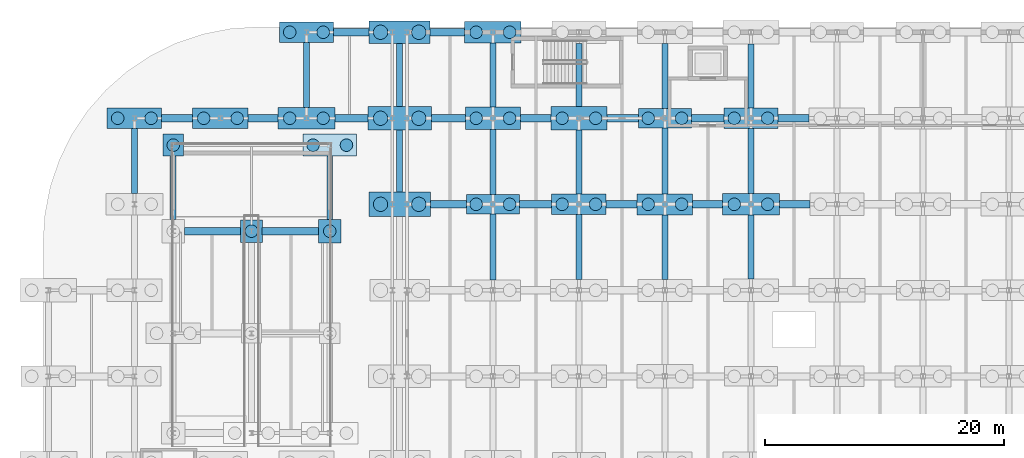
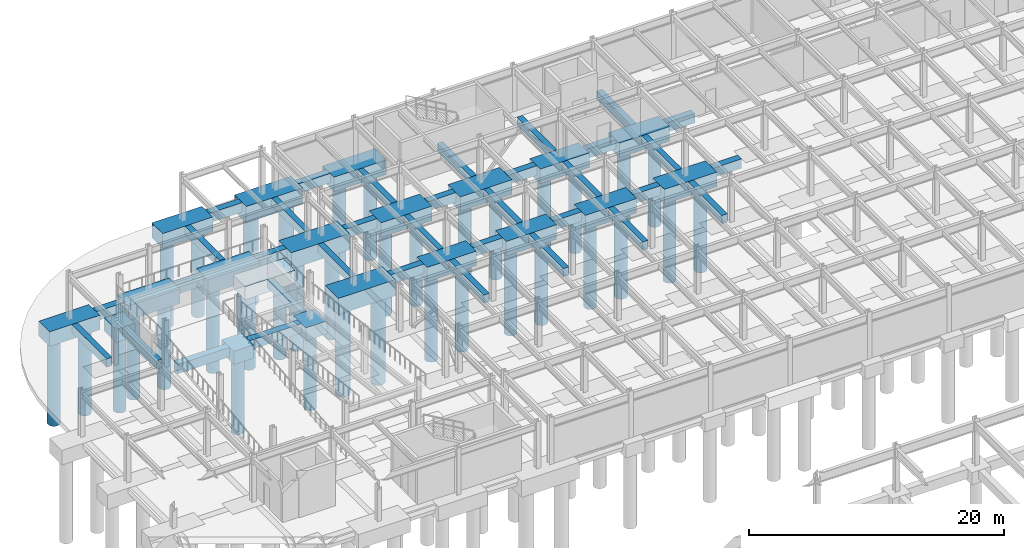
# One storey, part 4 of 54: 55 footings, 37 piles.
"""IFC4 building model written with IfcOpenShell, lengths in metres."""

from ifc_helpers import new_model, si_unit, direction, frame, origin, origin_2d, place, context, subcontext, project, spatial, polyline, rectangle, circle, outline, extrude, material, material_profile, profile_set, type_object, element, save


model = new_model("IFC4")

# Units and contexts
model_context = context("Model", 3, precision=1e-05, world=origin(), true_north=direction((0.0, 1.0)))
body_context = subcontext(model_context, "Body", "Model", "MODEL_VIEW")
ifc_project = project(units=[si_unit("LENGTHUNIT", "METRE"), si_unit("AREAUNIT", "SQUARE_METRE"), si_unit("VOLUMEUNIT", "CUBIC_METRE"), si_unit("PLANEANGLEUNIT", "RADIAN"), si_unit("MASSUNIT", "GRAM", prefix="KILO")], contexts=[model_context])

# Site, building, storey
site_placement = place(None, origin())
site = spatial("IfcSite", under=ifc_project, at=site_placement, CompositionType="ELEMENT")
building_placement = place(site_placement, origin())
building = spatial("IfcBuilding", under=site, at=building_placement, Name="Vaelcorin Mobility Hub", CompositionType="ELEMENT")
storey_placement = place(building_placement, frame((0.0, 0.0, -4.5)))
storey = spatial("IfcBuildingStorey", under=building, at=storey_placement, Name="B1", CompositionType="ELEMENT", Elevation=-4.5)

# Footings
ifc_material = material(Name="Concrete f'c 40 MPa", Category="concrete")
footing_type_1 = type_object("IfcFootingType", Name="FB-500X800", PredefinedType="FOOTING_BEAM", material=ifc_material)
footing_1_placement = place(storey_placement, frame((0.0, 0.0, -0.800048828125)))
element("IfcFooting", 1, at=footing_1_placement, inside=storey, type_object=footing_type_1, Name="Foundation Tie Beam FB-Y-269", PredefinedType="FOOTING_BEAM", context=body_context, shape_type="SweptSolid", body=[
    extrude(outline(polyline([(12.949951171875, 106.5), (13.449951171875, 106.5), (13.449951171875, 111.949951171875), (12.949951171875, 111.949951171875), (12.949951171875, 106.5)])), origin(), (0.0, 0.0, 1.0), 0.800048828125),
])
footing_2_placement = place(storey_placement, frame((0.0, 0.0, -0.800048828125)))
element("IfcFooting", 2, at=footing_2_placement, inside=storey, type_object=footing_type_1, Name="Foundation Tie Beam FB-Y-272", PredefinedType="FOOTING_BEAM", context=body_context, shape_type="SweptSolid", body=[
    extrude(outline(polyline([(27.35009765625, 113.699951171875), (27.85009765625, 113.699951171875), (27.85009765625, 119.14990234375), (27.35009765625, 119.14990234375), (27.35009765625, 113.699951171875)])), origin(), (0.0, 0.0, 1.0), 0.800048828125),
])
footing_3_placement = place(storey_placement, frame((0.0, 0.0, -0.800048828125)))
element("IfcFooting", 3, at=footing_3_placement, inside=storey, type_object=footing_type_1, Name="Foundation Tie Beam FB-Y-278", PredefinedType="FOOTING_BEAM", context=body_context, shape_type="SweptSolid", body=[
    extrude(outline(polyline([(35.14990234375, 106.625), (35.64990234375, 106.625), (35.64990234375, 111.824951171875), (35.14990234375, 111.824951171875), (35.14990234375, 106.625)])), origin(), (0.0, 0.0, 1.0), 0.800048828125),
])
footing_4_placement = place(storey_placement, frame((0.0, 0.0, -0.800048828125)))
element("IfcFooting", 4, at=footing_4_placement, inside=storey, type_object=footing_type_1, Name="Foundation Tie Beam FB-Y-279", PredefinedType="FOOTING_BEAM", context=body_context, shape_type="SweptSolid", body=[
    extrude(outline(polyline([(35.14990234375, 113.77490234375), (35.64990234375, 113.77490234375), (35.64990234375, 119.074951171875), (35.14990234375, 119.074951171875), (35.14990234375, 113.77490234375)])), origin(), (0.0, 0.0, 1.0), 0.800048828125),
])
footing_5_placement = place(storey_placement, frame((0.0, 0.0, -0.800048828125)))
element("IfcFooting", 5, at=footing_5_placement, inside=storey, type_object=footing_type_1, Name="Foundation Tie Beam FB-Y-284", PredefinedType="FOOTING_BEAM", context=body_context, shape_type="SweptSolid", body=[
    extrude(outline(polyline([(42.949951171875, 99.27490234375), (43.449951171875, 99.27490234375), (43.449951171875, 104.77490234375), (42.949951171875, 104.77490234375), (42.949951171875, 99.27490234375)])), origin(), (0.0, 0.0, 1.0), 0.800048828125),
])
footing_6_placement = place(storey_placement, frame((0.0, 0.0, -0.800048828125)))
element("IfcFooting", 6, at=footing_6_placement, inside=storey, type_object=footing_type_1, Name="Foundation Tie Beam FB-Y-285", PredefinedType="FOOTING_BEAM", context=body_context, shape_type="SweptSolid", body=[
    extrude(outline(polyline([(42.949951171875, 106.425048828125), (43.449951171875, 106.425048828125), (43.449951171875, 111.85009765625), (42.949951171875, 111.85009765625), (42.949951171875, 106.425048828125)])), origin(), (0.0, 0.0, 1.0), 0.800048828125),
])
footing_7_placement = place(storey_placement, frame((0.0, 0.0, -0.800048828125)))
element("IfcFooting", 7, at=footing_7_placement, inside=storey, type_object=footing_type_1, Name="Foundation Tie Beam FB-Y-286", PredefinedType="FOOTING_BEAM", context=body_context, shape_type="SweptSolid", body=[
    extrude(outline(polyline([(42.949951171875, 113.75), (43.449951171875, 113.75), (43.449951171875, 119.10009765625), (42.949951171875, 119.10009765625), (42.949951171875, 113.75)])), origin(), (0.0, 0.0, 1.0), 0.800048828125),
])
footing_8_placement = place(storey_placement, frame((0.0, 0.0, -0.800048828125)))
element("IfcFooting", 8, at=footing_8_placement, inside=storey, type_object=footing_type_1, Name="Foundation Tie Beam FB-Y-291", PredefinedType="FOOTING_BEAM", context=body_context, shape_type="SweptSolid", body=[
    extrude(outline(polyline([(50.14990234375, 99.300048828125), (50.64990234375, 99.300048828125), (50.64990234375, 104.75), (50.14990234375, 104.75), (50.14990234375, 99.300048828125)])), origin(), (0.0, 0.0, 1.0), 0.800048828125),
])
footing_9_placement = place(storey_placement, frame((0.0, 0.0, -0.800048828125)))
element("IfcFooting", 9, at=footing_9_placement, inside=storey, type_object=footing_type_1, Name="Foundation Tie Beam FB-Y-292", PredefinedType="FOOTING_BEAM", context=body_context, shape_type="SweptSolid", body=[
    extrude(outline(polyline([(50.14990234375, 106.449951171875), (50.64990234375, 106.449951171875), (50.64990234375, 111.824951171875), (50.14990234375, 111.824951171875), (50.14990234375, 106.449951171875)])), origin(), (0.0, 0.0, 1.0), 0.800048828125),
])
footing_10_placement = place(storey_placement, frame((0.0, 0.0, -0.800048828125)))
element("IfcFooting", 10, at=footing_10_placement, inside=storey, type_object=footing_type_1, Name="Foundation Tie Beam FB-Y-293", PredefinedType="FOOTING_BEAM", context=body_context, shape_type="SweptSolid", body=[
    extrude(outline(polyline([(50.14990234375, 113.77490234375), (50.64990234375, 113.77490234375), (50.64990234375, 119.074951171875), (50.14990234375, 119.074951171875), (50.14990234375, 113.77490234375)])), origin(), (0.0, 0.0, 1.0), 0.800048828125),
])
footing_11_placement = place(storey_placement, frame((0.0, 0.0, -0.800048828125)))
element("IfcFooting", 11, at=footing_11_placement, inside=storey, type_object=footing_type_1, Name="Foundation Tie Beam FB-Y-298", PredefinedType="FOOTING_BEAM", context=body_context, shape_type="SweptSolid", body=[
    extrude(outline(polyline([(57.35009765625, 99.324951171875), (57.85009765625, 99.324951171875), (57.85009765625, 104.72509765625), (57.35009765625, 104.72509765625), (57.35009765625, 99.324951171875)])), origin(), (0.0, 0.0, 1.0), 0.800048828125),
])
footing_12_placement = place(storey_placement, frame((0.0, 0.0, -0.800048828125)))
element("IfcFooting", 12, at=footing_12_placement, inside=storey, type_object=footing_type_1, Name="Foundation Tie Beam FB-Y-299", PredefinedType="FOOTING_BEAM", context=body_context, shape_type="SweptSolid", body=[
    extrude(outline(polyline([(57.35009765625, 106.47509765625), (57.85009765625, 106.47509765625), (57.85009765625, 111.97509765625), (57.35009765625, 111.97509765625), (57.35009765625, 106.47509765625)])), origin(), (0.0, 0.0, 1.0), 0.800048828125),
])
footing_13_placement = place(storey_placement, frame((0.0, 0.0, -0.800048828125)))
element("IfcFooting", 13, at=footing_13_placement, inside=storey, type_object=footing_type_1, Name="Foundation Tie Beam FB-Y-300", PredefinedType="FOOTING_BEAM", context=body_context, shape_type="SweptSolid", body=[
    extrude(outline(polyline([(57.35009765625, 113.625), (57.85009765625, 113.625), (57.85009765625, 119.050048828125), (57.35009765625, 119.050048828125), (57.35009765625, 113.625)])), origin(), (0.0, 0.0, 1.0), 0.800048828125),
])
footing_14_placement = place(storey_placement, frame((0.0, 0.0, -0.800048828125)))
element("IfcFooting", 14, at=footing_14_placement, inside=storey, type_object=footing_type_1, Name="Foundation Tie Beam FB-Y-305", PredefinedType="FOOTING_BEAM", context=body_context, shape_type="SweptSolid", body=[
    extrude(outline(polyline([(64.550048828125, 99.35009765625), (65.050048828125, 99.35009765625), (65.050048828125, 104.699951171875), (64.550048828125, 104.699951171875), (64.550048828125, 99.35009765625)])), origin(), (0.0, 0.0, 1.0), 0.800048828125),
])
footing_15_placement = place(storey_placement, frame((0.0, 0.0, -0.800048828125)))
element("IfcFooting", 15, at=footing_15_placement, inside=storey, type_object=footing_type_1, Name="Foundation Tie Beam FB-Y-306", PredefinedType="FOOTING_BEAM", context=body_context, shape_type="SweptSolid", body=[
    extrude(outline(polyline([(64.550048828125, 106.5), (65.050048828125, 106.5), (65.050048828125, 111.949951171875), (64.550048828125, 111.949951171875), (64.550048828125, 106.5)])), origin(), (0.0, 0.0, 1.0), 0.800048828125),
])
footing_16_placement = place(storey_placement, frame((0.0, 0.0, -0.800048828125)))
element("IfcFooting", 16, at=footing_16_placement, inside=storey, type_object=footing_type_1, Name="Foundation Tie Beam FB-Y-307", PredefinedType="FOOTING_BEAM", context=body_context, shape_type="SweptSolid", body=[
    extrude(outline(polyline([(64.550048828125, 113.64990234375), (65.050048828125, 113.64990234375), (65.050048828125, 119.02490234375), (64.550048828125, 119.02490234375), (64.550048828125, 113.64990234375)])), origin(), (0.0, 0.0, 1.0), 0.800048828125),
])
footing_17_placement = place(storey_placement, frame((0.0, 0.0, -0.800048828125)))
element("IfcFooting", 17, at=footing_17_placement, inside=storey, type_object=footing_type_1, Name="Foundation Tie Beam FB-Y-475", PredefinedType="FOOTING_BEAM", context=body_context, shape_type="SweptSolid", body=[
    extrude(outline(polyline([(16.199951171875, 104.324951171875), (16.699951171875, 104.324951171875), (16.699951171875, 109.625), (16.199951171875, 109.625), (16.199951171875, 104.324951171875)])), origin(), (0.0, 0.0, 1.0), 0.800048828125),
])
footing_18_placement = place(storey_placement, frame((0.0, 0.0, -0.800048828125)))
element("IfcFooting", 18, at=footing_18_placement, inside=storey, type_object=footing_type_1, Name="Foundation Tie Beam FB-Y-480", PredefinedType="FOOTING_BEAM", context=body_context, shape_type="SweptSolid", body=[
    extrude(outline(polyline([(29.300048828125, 104.324951171875), (29.800048828125, 104.324951171875), (29.800048828125, 109.625), (29.300048828125, 109.625), (29.300048828125, 104.324951171875)])), origin(), (0.0, 0.0, 1.0), 0.800048828125),
])
footing_type_2 = type_object("IfcFootingType", Name="FB-600X900", PredefinedType="FOOTING_BEAM", material=ifc_material)
footing_19_placement = place(storey_placement, frame((0.0, 0.0, -0.89990234375)))
element("IfcFooting", 19, at=footing_19_placement, inside=storey, type_object=footing_type_2, Name="Foundation Tie Beam FB-X-097", PredefinedType="FOOTING_BEAM", context=body_context, shape_type="SweptSolid", body=[
    extrude(outline(polyline([(37.97509765625, 105.300048828125), (40.97509765625, 105.300048828125), (40.97509765625, 105.89990234375), (37.97509765625, 105.89990234375), (37.97509765625, 105.300048828125)])), origin(), (0.0, 0.0, 1.0), 0.89990234375),
])
footing_20_placement = place(storey_placement, frame((0.0, 0.0, -0.89990234375)))
element("IfcFooting", 20, at=footing_20_placement, inside=storey, type_object=footing_type_2, Name="Foundation Tie Beam FB-X-098", PredefinedType="FOOTING_BEAM", context=body_context, shape_type="SweptSolid", body=[
    extrude(outline(polyline([(45.425048828125, 105.300048828125), (48.125, 105.300048828125), (48.125, 105.89990234375), (45.425048828125, 105.89990234375), (45.425048828125, 105.300048828125)])), origin(), (0.0, 0.0, 1.0), 0.89990234375),
])
footing_21_placement = place(storey_placement, frame((0.0, 0.0, -0.89990234375)))
element("IfcFooting", 21, at=footing_21_placement, inside=storey, type_object=footing_type_2, Name="Foundation Tie Beam FB-X-099", PredefinedType="FOOTING_BEAM", context=body_context, shape_type="SweptSolid", body=[
    extrude(outline(polyline([(52.675048828125, 105.300048828125), (55.27490234375, 105.300048828125), (55.27490234375, 105.89990234375), (52.675048828125, 105.89990234375), (52.675048828125, 105.300048828125)])), origin(), (0.0, 0.0, 1.0), 0.89990234375),
])
footing_22_placement = place(storey_placement, frame((0.0, 0.0, -0.89990234375)))
element("IfcFooting", 22, at=footing_22_placement, inside=storey, type_object=footing_type_2, Name="Foundation Tie Beam FB-X-100", PredefinedType="FOOTING_BEAM", context=body_context, shape_type="SweptSolid", body=[
    extrude(outline(polyline([(59.925048828125, 105.300048828125), (62.425048828125, 105.300048828125), (62.425048828125, 105.89990234375), (59.925048828125, 105.89990234375), (59.925048828125, 105.300048828125)])), origin(), (0.0, 0.0, 1.0), 0.89990234375),
])
footing_23_placement = place(storey_placement, frame((0.0, 0.0, -0.89990234375)))
element("IfcFooting", 23, at=footing_23_placement, inside=storey, type_object=footing_type_2, Name="Foundation Tie Beam FB-X-101", PredefinedType="FOOTING_BEAM", context=body_context, shape_type="SweptSolid", body=[
    extrude(outline(polyline([(67.175048828125, 105.300048828125), (69.75, 105.300048828125), (69.75, 105.89990234375), (67.175048828125, 105.89990234375), (67.175048828125, 105.300048828125)])), origin(), (0.0, 0.0, 1.0), 0.89990234375),
])
footing_24_placement = place(storey_placement, frame((0.0, 0.0, -0.89990234375)))
element("IfcFooting", 24, at=footing_24_placement, inside=storey, type_object=footing_type_2, Name="Foundation Tie Beam FB-X-117", PredefinedType="FOOTING_BEAM", context=body_context, shape_type="SweptSolid", body=[
    extrude(outline(polyline([(15.47509765625, 112.5), (18.074951171875, 112.5), (18.074951171875, 113.10009765625), (15.47509765625, 113.10009765625), (15.47509765625, 112.5)])), origin(), (0.0, 0.0, 1.0), 0.89990234375),
])
footing_25_placement = place(storey_placement, frame((0.0, 0.0, -0.89990234375)))
element("IfcFooting", 25, at=footing_25_placement, inside=storey, type_object=footing_type_2, Name="Foundation Tie Beam FB-X-118", PredefinedType="FOOTING_BEAM", context=body_context, shape_type="SweptSolid", body=[
    extrude(outline(polyline([(22.72509765625, 112.5), (25.22509765625, 112.5), (25.22509765625, 113.10009765625), (22.72509765625, 113.10009765625), (22.72509765625, 112.5)])), origin(), (0.0, 0.0, 1.0), 0.89990234375),
])
footing_26_placement = place(storey_placement, frame((0.0, 0.0, -0.89990234375)))
element("IfcFooting", 26, at=footing_26_placement, inside=storey, type_object=footing_type_2, Name="Foundation Tie Beam FB-X-119", PredefinedType="FOOTING_BEAM", context=body_context, shape_type="SweptSolid", body=[
    extrude(outline(polyline([(29.97509765625, 112.5), (32.75, 112.5), (32.75, 113.10009765625), (29.97509765625, 113.10009765625), (29.97509765625, 112.5)])), origin(), (0.0, 0.0, 1.0), 0.89990234375),
])
footing_27_placement = place(storey_placement, frame((0.0, 0.0, -0.89990234375)))
element("IfcFooting", 27, at=footing_27_placement, inside=storey, type_object=footing_type_2, Name="Foundation Tie Beam FB-X-120", PredefinedType="FOOTING_BEAM", context=body_context, shape_type="SweptSolid", body=[
    extrude(outline(polyline([(38.050048828125, 112.5), (40.89990234375, 112.5), (40.89990234375, 113.10009765625), (38.050048828125, 113.10009765625), (38.050048828125, 112.5)])), origin(), (0.0, 0.0, 1.0), 0.89990234375),
])
footing_28_placement = place(storey_placement, frame((0.0, 0.0, -0.89990234375)))
element("IfcFooting", 28, at=footing_28_placement, inside=storey, type_object=footing_type_2, Name="Foundation Tie Beam FB-X-121", PredefinedType="FOOTING_BEAM", context=body_context, shape_type="SweptSolid", body=[
    extrude(outline(polyline([(45.5, 112.5), (48.050048828125, 112.5), (48.050048828125, 113.10009765625), (45.5, 113.10009765625), (45.5, 112.5)])), origin(), (0.0, 0.0, 1.0), 0.89990234375),
])
footing_29_placement = place(storey_placement, frame((0.0, 0.0, -0.89990234375)))
element("IfcFooting", 29, at=footing_29_placement, inside=storey, type_object=footing_type_2, Name="Foundation Tie Beam FB-X-122", PredefinedType="FOOTING_BEAM", context=body_context, shape_type="SweptSolid", body=[
    extrude(outline(polyline([(52.75, 112.5), (55.375, 112.5), (55.375, 113.10009765625), (52.75, 113.10009765625), (52.75, 112.5)])), origin(), (0.0, 0.0, 1.0), 0.89990234375),
])
footing_30_placement = place(storey_placement, frame((0.0, 0.0, -0.89990234375)))
element("IfcFooting", 30, at=footing_30_placement, inside=storey, type_object=footing_type_2, Name="Foundation Tie Beam FB-X-123", PredefinedType="FOOTING_BEAM", context=body_context, shape_type="SweptSolid", body=[
    extrude(outline(polyline([(59.824951171875, 112.5), (62.52490234375, 112.5), (62.52490234375, 113.10009765625), (59.824951171875, 113.10009765625), (59.824951171875, 112.5)])), origin(), (0.0, 0.0, 1.0), 0.89990234375),
])
footing_31_placement = place(storey_placement, frame((0.0, 0.0, -0.89990234375)))
element("IfcFooting", 31, at=footing_31_placement, inside=storey, type_object=footing_type_2, Name="Foundation Tie Beam FB-X-124", PredefinedType="FOOTING_BEAM", context=body_context, shape_type="SweptSolid", body=[
    extrude(outline(polyline([(67.074951171875, 112.5), (69.675048828125, 112.5), (69.675048828125, 113.10009765625), (67.074951171875, 113.10009765625), (67.074951171875, 112.5)])), origin(), (0.0, 0.0, 1.0), 0.89990234375),
])
footing_32_placement = place(storey_placement, frame((0.0, 0.0, -0.89990234375)))
element("IfcFooting", 32, at=footing_32_placement, inside=storey, type_object=footing_type_2, Name="Foundation Tie Beam FB-X-143", PredefinedType="FOOTING_BEAM", context=body_context, shape_type="SweptSolid", body=[
    extrude(outline(polyline([(29.875, 119.699951171875), (32.85009765625, 119.699951171875), (32.85009765625, 120.300048828125), (29.875, 120.300048828125), (29.875, 119.699951171875)])), origin(), (0.0, 0.0, 1.0), 0.89990234375),
])
footing_33_placement = place(storey_placement, frame((0.0, 0.0, -0.89990234375)))
element("IfcFooting", 33, at=footing_33_placement, inside=storey, type_object=footing_type_2, Name="Foundation Tie Beam FB-X-144", PredefinedType="FOOTING_BEAM", context=body_context, shape_type="SweptSolid", body=[
    extrude(outline(polyline([(37.949951171875, 119.699951171875), (40.824951171875, 119.699951171875), (40.824951171875, 120.300048828125), (37.949951171875, 120.300048828125), (37.949951171875, 119.699951171875)])), origin(), (0.0, 0.0, 1.0), 0.89990234375),
])
footing_34_placement = place(storey_placement, frame((0.0, 0.0, -0.89990234375)))
element("IfcFooting", 34, at=footing_34_placement, inside=storey, type_object=footing_type_2, Name="Foundation Tie Beam FB-X-258", PredefinedType="FOOTING_BEAM", context=body_context, shape_type="SweptSolid", body=[
    extrude(outline(polyline([(17.39990234375, 103.050048828125), (22.10009765625, 103.050048828125), (22.10009765625, 103.64990234375), (17.39990234375, 103.64990234375), (17.39990234375, 103.050048828125)])), origin(), (0.0, 0.0, 1.0), 0.89990234375),
])
footing_35_placement = place(storey_placement, frame((0.0, 0.0, -0.89990234375)))
element("IfcFooting", 35, at=footing_35_placement, inside=storey, type_object=footing_type_2, Name="Foundation Tie Beam FB-X-259", PredefinedType="FOOTING_BEAM", context=body_context, shape_type="SweptSolid", body=[
    extrude(outline(polyline([(23.89990234375, 103.050048828125), (28.60009765625, 103.050048828125), (28.60009765625, 103.64990234375), (23.89990234375, 103.64990234375), (23.89990234375, 103.050048828125)])), origin(), (0.0, 0.0, 1.0), 0.89990234375),
])
footing_type_3 = type_object("IfcFootingType", Name="FTG-PC-01", PredefinedType="PILE_CAP", material=ifc_material)
footing_36_placement = place(storey_placement, frame((43.199951171875, 112.800048828125, -1.39990234375), z_axis=(0.0, 0.0, 1.0), x_axis=(1.0, 0.0, 0.0)))
element("IfcFooting", 36, at=footing_36_placement, inside=storey, type_object=footing_type_3, Name="Pile Cap PC-01 036", PredefinedType="PILE_CAP", context=body_context, shape_type="SweptSolid", body=[
    extrude(rectangle(XDim=4.60009765625, YDim=1.89990234375, at=origin_2d()), origin(), (0.0, 0.0, 1.0), 1.39990234375),
])
footing_type_4 = type_object("IfcFootingType", Name="FTG-PC-02", PredefinedType="PILE_CAP", material=ifc_material)
for number, where, z_axis, x_axis, name in (
    (37, (27.60009765625, 112.800048828125, -1.39990234375), (0.0, 0.0, 1.0), (1.0, 0.0, 0.0), "Pile Cap PC-02 016"),
    (38, (43.199951171875, 120.0, -1.39990234375), (0.0, 0.0, 1.0), (1.0, 0.0, 0.0), "Pile Cap PC-02 037"),
    (39, (64.800048828125, 105.60009765625, -1.39990234375), (0.0, 0.0, 1.0), (1.0, 0.0, 0.0), "Pile Cap PC-02 065"),
):
    element("IfcFooting", number, at=place(storey_placement, frame(where, z_axis=z_axis, x_axis=x_axis)), inside=storey, type_object=footing_type_4, Name=name, PredefinedType="PILE_CAP", context=body_context, shape_type="SweptSolid", body=[
        extrude(rectangle(XDim=4.75, YDim=1.800048828125, at=origin_2d()), origin(), (0.0, 0.0, 1.0), 1.39990234375),
    ])
footing_type_5 = type_object("IfcFootingType", Name="FTG-PC-03", PredefinedType="PILE_CAP", material=ifc_material)
for number, where, z_axis, x_axis, name in (
    (40, (13.199951171875, 112.800048828125, -1.39990234375), (0.0, 0.0, 1.0), (1.0, 0.0, 0.0), "Pile Cap PC-03 010"),
    (41, (27.60009765625, 120.0, -1.39990234375), (0.0, 0.0, 1.0), (1.0, 0.0, 0.0), "Pile Cap PC-03 017"),
    (42, (50.39990234375, 105.60009765625, -1.39990234375), (0.0, 0.0, 1.0), (1.0, 0.0, 0.0), "Pile Cap PC-03 045"),
    (43, (64.800048828125, 112.800048828125, -1.39990234375), (0.0, 0.0, 1.0), (1.0, 0.0, 0.0), "Pile Cap PC-03 066"),
):
    element("IfcFooting", number, at=place(storey_placement, frame(where, z_axis=z_axis, x_axis=x_axis)), inside=storey, type_object=footing_type_5, Name=name, PredefinedType="PILE_CAP", context=body_context, shape_type="SweptSolid", body=[
        extrude(rectangle(XDim=4.550048828125, YDim=1.699951171875, at=origin_2d()), origin(), (0.0, 0.0, 1.0), 1.39990234375),
    ])
footing_type_6 = type_object("IfcFootingType", Name="FTG-PC-04", PredefinedType="PILE_CAP", material=ifc_material)
footing_37_placement = place(storey_placement, frame((50.39990234375, 112.800048828125, -1.39990234375), z_axis=(0.0, 0.0, 1.0), x_axis=(1.0, 0.0, 0.0)))
element("IfcFooting", 44, at=footing_37_placement, inside=storey, type_object=footing_type_6, Name="Pile Cap PC-04 046", PredefinedType="PILE_CAP", context=body_context, shape_type="SweptSolid", body=[
    extrude(rectangle(XDim=4.699951171875, YDim=1.949951171875, at=origin_2d()), origin(), (0.0, 0.0, 1.0), 1.39990234375),
])
footing_type_7 = type_object("IfcFootingType", Name="FTG-PC-06", PredefinedType="PILE_CAP", material=ifc_material)
for number, where, z_axis, x_axis, name in (
    (45, (20.39990234375, 112.800048828125, -1.39990234375), (0.0, 0.0, 1.0), (1.0, 0.0, 0.0), "Pile Cap PC-06 013"),
    (46, (57.60009765625, 105.60009765625, -1.39990234375), (0.0, 0.0, 1.0), (1.0, 0.0, 0.0), "Pile Cap PC-06 055"),
):
    element("IfcFooting", number, at=place(storey_placement, frame(where, z_axis=z_axis, x_axis=x_axis)), inside=storey, type_object=footing_type_7, Name=name, PredefinedType="PILE_CAP", context=body_context, shape_type="SweptSolid", body=[
        extrude(rectangle(XDim=4.64990234375, YDim=1.75, at=origin_2d()), origin(), (0.0, 0.0, 1.0), 1.39990234375),
    ])
footing_type_8 = type_object("IfcFootingType", Name="FTG-PC-07", PredefinedType="PILE_CAP", material=ifc_material)
for number, where, z_axis, x_axis, name in (
    (47, (43.199951171875, 105.60009765625, -1.39990234375), (0.0, 0.0, 1.0), (1.0, 0.0, 0.0), "Pile Cap PC-07 035"),
    (48, (57.60009765625, 112.800048828125, -1.39990234375), (0.0, 0.0, 1.0), (1.0, 0.0, 0.0), "Pile Cap PC-07 056"),
):
    element("IfcFooting", number, at=place(storey_placement, frame(where, z_axis=z_axis, x_axis=x_axis)), inside=storey, type_object=footing_type_8, Name=name, PredefinedType="PILE_CAP", context=body_context, shape_type="SweptSolid", body=[
        extrude(rectangle(XDim=4.449951171875, YDim=1.64990234375, at=origin_2d()), origin(), (0.0, 0.0, 1.0), 1.39990234375),
    ])
footing_type_9 = type_object("IfcFootingType", Name="FTG-PC-25", PredefinedType="PILE_CAP", material=ifc_material)
footing_38_placement = place(storey_placement, frame((16.449951171875, 110.550048828125, -1.25), z_axis=(0.0, 0.0, 1.0), x_axis=(1.0, 0.0, 0.0)))
element("IfcFooting", 49, at=footing_38_placement, inside=storey, type_object=footing_type_9, Name="Pile Cap PC-25 278", PredefinedType="PILE_CAP", context=body_context, shape_type="SweptSolid", body=[
    extrude(rectangle(XDim=1.699951171875, YDim=1.85009765625, at=origin_2d()), origin(), (0.0, 0.0, 1.0), 1.25),
])
footing_type_10 = type_object("IfcFootingType", Name="FTG-PC-26", PredefinedType="PILE_CAP", material=ifc_material)
footing_39_placement = place(storey_placement, frame((23.0, 103.35009765625, -1.25), z_axis=(0.0, 0.0, 1.0), x_axis=(1.0, 0.0, 0.0)))
element("IfcFooting", 50, at=footing_39_placement, inside=storey, type_object=footing_type_10, Name="Pile Cap PC-26 281", PredefinedType="PILE_CAP", context=body_context, shape_type="SweptSolid", body=[
    extrude(rectangle(XDim=1.800048828125, YDim=1.89990234375, at=origin_2d()), origin(), (0.0, 0.0, 1.0), 1.25),
])
footing_type_11 = type_object("IfcFootingType", Name="FTG-PC-31", PredefinedType="PILE_CAP", material=ifc_material)
footing_40_placement = place(storey_placement, frame((29.550048828125, 110.550048828125, -1.25), z_axis=(0.0, 0.0, 1.0), x_axis=(1.0, 0.0, 0.0)))
element("IfcFooting", 51, at=footing_40_placement, inside=storey, type_object=footing_type_11, Name="Pile Cap PC-31 285", PredefinedType="PILE_CAP", context=body_context, shape_type="SweptSolid", body=[
    extrude(rectangle(XDim=4.5, YDim=1.85009765625, at=origin_2d()), origin(), (0.0, 0.0, 1.0), 1.25),
])
footing_type_12 = type_object("IfcFootingType", Name="FTG-PC-35", PredefinedType="PILE_CAP", material=ifc_material)
footing_41_placement = place(storey_placement, frame((29.550048828125, 103.35009765625, -1.25), z_axis=(0.0, 0.0, 1.0), x_axis=(1.0, 0.0, 0.0)))
element("IfcFooting", 52, at=footing_41_placement, inside=storey, type_object=footing_type_12, Name="Pile Cap PC-35 284", PredefinedType="PILE_CAP", context=body_context, shape_type="SweptSolid", body=[
    extrude(rectangle(XDim=1.89990234375, YDim=1.949951171875, at=origin_2d()), origin(), (0.0, 0.0, 1.0), 1.25),
])
footing_type_13 = type_object("IfcFootingType", Name="FTG-PC-COMB12", PredefinedType="PILE_CAP", material=ifc_material)
footing_42_placement = place(storey_placement, frame((35.39990234375, 105.60009765625, -1.5498046875), z_axis=(0.0, 0.0, 1.0), x_axis=(1.0, 0.0, 0.0)))
element("IfcFooting", 53, at=footing_42_placement, inside=storey, type_object=footing_type_13, Name="Pile Cap PC-COMB12 022", PredefinedType="PILE_CAP", context=body_context, shape_type="SweptSolid", body=[
    extrude(rectangle(XDim=5.14990234375, YDim=2.050048828125, at=origin_2d()), origin(), (0.0, 0.0, 1.0), 1.550048828125),
])
footing_type_14 = type_object("IfcFootingType", Name="FTG-PC-COMB13", PredefinedType="PILE_CAP", material=ifc_material)
footing_43_placement = place(storey_placement, frame((35.39990234375, 112.800048828125, -1.5498046875), z_axis=(0.0, 0.0, 1.0), x_axis=(1.0, 0.0, 0.0)))
element("IfcFooting", 54, at=footing_43_placement, inside=storey, type_object=footing_type_14, Name="Pile Cap PC-COMB13 023", PredefinedType="PILE_CAP", context=body_context, shape_type="SweptSolid", body=[
    extrude(rectangle(XDim=5.300048828125, YDim=1.949951171875, at=origin_2d()), origin(), (0.0, 0.0, 1.0), 1.550048828125),
])
footing_type_15 = type_object("IfcFootingType", Name="FTG-PC-COMB14", PredefinedType="PILE_CAP", material=ifc_material)
footing_44_placement = place(storey_placement, frame((35.39990234375, 120.0, -1.5498046875), z_axis=(0.0, 0.0, 1.0), x_axis=(1.0, 0.0, 0.0)))
element("IfcFooting", 55, at=footing_44_placement, inside=storey, type_object=footing_type_15, Name="Pile Cap PC-COMB14 024", PredefinedType="PILE_CAP", context=body_context, shape_type="SweptSolid", body=[
    extrude(rectangle(XDim=5.10009765625, YDim=1.85009765625, at=origin_2d()), origin(), (0.0, 0.0, 1.0), 1.550048828125),
])

# Piles
ifc_material_profile_1 = material_profile(ifc_material, circle(Radius=0.52490234375, at=origin_2d()), Name="BP-D1050")
ifc_profile_set_1 = profile_set([ifc_material_profile_1], Name="Concrete f'c 40 MPa")
pile_type_1 = type_object("IfcPileType", Name="PILE-D1050", PredefinedType="BORED", material=ifc_profile_set_1)
for number, where, z_axis, x_axis, name in (
    (56, (11.800048828125, 112.800048828125, -1.300048828125), (0.0, 0.0, -1.0), (1.0, 0.0, 0.0), "Bored Pile CAP-010-P1"),
    (57, (14.60009765625, 112.800048828125, -1.300048828125), (0.0, 0.0, -1.0), (1.0, 0.0, 0.0), "Bored Pile CAP-010-P2"),
    (58, (19.0, 112.800048828125, -1.300048828125), (0.0, 0.0, -1.0), (1.0, 0.0, 0.0), "Bored Pile CAP-013-P1"),
    (59, (21.800048828125, 112.800048828125, -1.300048828125), (0.0, 0.0, -1.0), (1.0, 0.0, 0.0), "Bored Pile CAP-013-P2"),
    (60, (26.199951171875, 112.800048828125, -1.300048828125), (0.0, 0.0, -1.0), (1.0, 0.0, 0.0), "Bored Pile CAP-016-P1"),
    (61, (29.0, 112.800048828125, -1.300048828125), (0.0, 0.0, -1.0), (1.0, 0.0, 0.0), "Bored Pile CAP-016-P2"),
    (62, (26.199951171875, 120.0, -1.300048828125), (0.0, 0.0, -1.0), (1.0, 0.0, 0.0), "Bored Pile CAP-017-P1"),
    (63, (29.0, 120.0, -1.300048828125), (0.0, 0.0, -1.0), (1.0, 0.0, 0.0), "Bored Pile CAP-017-P2"),
    (64, (41.800048828125, 105.60009765625, -1.300048828125), (0.0, 0.0, -1.0), (1.0, 0.0, 0.0), "Bored Pile CAP-035-P1"),
    (65, (44.60009765625, 105.60009765625, -1.300048828125), (0.0, 0.0, -1.0), (1.0, 0.0, 0.0), "Bored Pile CAP-035-P2"),
    (66, (41.800048828125, 112.800048828125, -1.300048828125), (0.0, 0.0, -1.0), (1.0, 0.0, 0.0), "Bored Pile CAP-036-P1"),
    (67, (44.60009765625, 112.800048828125, -1.300048828125), (0.0, 0.0, -1.0), (1.0, 0.0, 0.0), "Bored Pile CAP-036-P2"),
    (68, (41.800048828125, 120.0, -1.300048828125), (0.0, 0.0, -1.0), (1.0, 0.0, 0.0), "Bored Pile CAP-037-P1"),
    (69, (44.60009765625, 120.0, -1.300048828125), (0.0, 0.0, -1.0), (1.0, 0.0, 0.0), "Bored Pile CAP-037-P2"),
    (70, (49.0, 105.60009765625, -1.300048828125), (0.0, 0.0, -1.0), (1.0, 0.0, 0.0), "Bored Pile CAP-045-P1"),
    (71, (51.800048828125, 105.60009765625, -1.300048828125), (0.0, 0.0, -1.0), (1.0, 0.0, 0.0), "Bored Pile CAP-045-P2"),
    (72, (49.0, 112.800048828125, -1.300048828125), (0.0, 0.0, -1.0), (1.0, 0.0, 0.0), "Bored Pile CAP-046-P1"),
    (73, (51.800048828125, 112.800048828125, -1.300048828125), (0.0, 0.0, -1.0), (1.0, 0.0, 0.0), "Bored Pile CAP-046-P2"),
    (74, (56.199951171875, 105.60009765625, -1.300048828125), (0.0, 0.0, -1.0), (1.0, 0.0, 0.0), "Bored Pile CAP-055-P1"),
    (75, (59.0, 105.60009765625, -1.300048828125), (0.0, 0.0, -1.0), (1.0, 0.0, 0.0), "Bored Pile CAP-055-P2"),
    (76, (56.199951171875, 112.800048828125, -1.300048828125), (0.0, 0.0, -1.0), (1.0, 0.0, 0.0), "Bored Pile CAP-056-P1"),
    (77, (59.0, 112.800048828125, -1.300048828125), (0.0, 0.0, -1.0), (1.0, 0.0, 0.0), "Bored Pile CAP-056-P2"),
    (78, (63.39990234375, 105.60009765625, -1.300048828125), (0.0, 0.0, -1.0), (1.0, 0.0, 0.0), "Bored Pile CAP-065-P1"),
    (79, (66.199951171875, 105.60009765625, -1.300048828125), (0.0, 0.0, -1.0), (1.0, 0.0, 0.0), "Bored Pile CAP-065-P2"),
    (80, (63.39990234375, 112.800048828125, -1.300048828125), (0.0, 0.0, -1.0), (1.0, 0.0, 0.0), "Bored Pile CAP-066-P1"),
    (81, (66.199951171875, 112.800048828125, -1.300048828125), (0.0, 0.0, -1.0), (1.0, 0.0, 0.0), "Bored Pile CAP-066-P2"),
):
    element("IfcPile", number, at=place(storey_placement, frame(where, z_axis=z_axis, x_axis=x_axis)), inside=storey, type_object=pile_type_1, Name=name, PredefinedType="BORED", context=body_context, shape_type="SweptSolid", body=[
        extrude(circle(Radius=0.52490234375, at=origin_2d()), origin(), (0.0, 0.0, 1.0), 8.199951171875),
    ])
for number, where, z_axis, x_axis, name in (
    (82, (16.449951171875, 110.550048828125, -1.14990234375), (0.0, 0.0, -1.0), (1.0, 0.0, 0.0), "Bored Pile CAP-278-P1"),
    (83, (23.0, 103.35009765625, -1.14990234375), (0.0, 0.0, -1.0), (1.0, 0.0, 0.0), "Bored Pile CAP-281-P1"),
    (84, (29.550048828125, 103.35009765625, -1.14990234375), (0.0, 0.0, -1.0), (1.0, 0.0, 0.0), "Bored Pile CAP-284-P1"),
    (85, (28.14990234375, 110.550048828125, -1.14990234375), (0.0, 0.0, -1.0), (1.0, 0.0, 0.0), "Bored Pile CAP-285-P1"),
    (86, (30.949951171875, 110.550048828125, -1.14990234375), (0.0, 0.0, -1.0), (1.0, 0.0, 0.0), "Bored Pile CAP-285-P2"),
):
    element("IfcPile", number, at=place(storey_placement, frame(where, z_axis=z_axis, x_axis=x_axis)), inside=storey, type_object=pile_type_1, Name=name, PredefinedType="BORED", context=body_context, shape_type="SweptSolid", body=[
        extrude(circle(Radius=0.52490234375, at=origin_2d()), origin(), (0.0, 0.0, 1.0), 7.35009765625),
    ])
ifc_material_profile_2 = material_profile(ifc_material, circle(Radius=0.60009765625, at=origin_2d()), Name="BP-D1200")
ifc_profile_set_2 = profile_set([ifc_material_profile_2], Name="Concrete f'c 40 MPa")
pile_type_2 = type_object("IfcPileType", Name="PILE-D1200", PredefinedType="BORED", material=ifc_profile_set_2)
for number, where, z_axis, x_axis, name in (
    (87, (33.800048828125, 105.60009765625, -1.449951171875), (0.0, 0.0, -1.0), (1.0, 0.0, 0.0), "Bored Pile CAP-022-P1"),
    (88, (37.0, 105.60009765625, -1.449951171875), (0.0, 0.0, -1.0), (1.0, 0.0, 0.0), "Bored Pile CAP-022-P2"),
    (89, (33.800048828125, 112.800048828125, -1.449951171875), (0.0, 0.0, -1.0), (1.0, 0.0, 0.0), "Bored Pile CAP-023-P1"),
    (90, (37.0, 112.800048828125, -1.449951171875), (0.0, 0.0, -1.0), (1.0, 0.0, 0.0), "Bored Pile CAP-023-P2"),
    (91, (33.800048828125, 120.0, -1.449951171875), (0.0, 0.0, -1.0), (1.0, 0.0, 0.0), "Bored Pile CAP-024-P1"),
    (92, (37.0, 120.0, -1.449951171875), (0.0, 0.0, -1.0), (1.0, 0.0, 0.0), "Bored Pile CAP-024-P2"),
):
    element("IfcPile", number, at=place(storey_placement, frame(where, z_axis=z_axis, x_axis=x_axis)), inside=storey, type_object=pile_type_2, Name=name, PredefinedType="BORED", context=body_context, shape_type="SweptSolid", body=[
        extrude(circle(Radius=0.60009765625, at=origin_2d()), origin(), (0.0, 0.0, 1.0), 8.550048828125),
    ])

save(model, "model.ifc")
